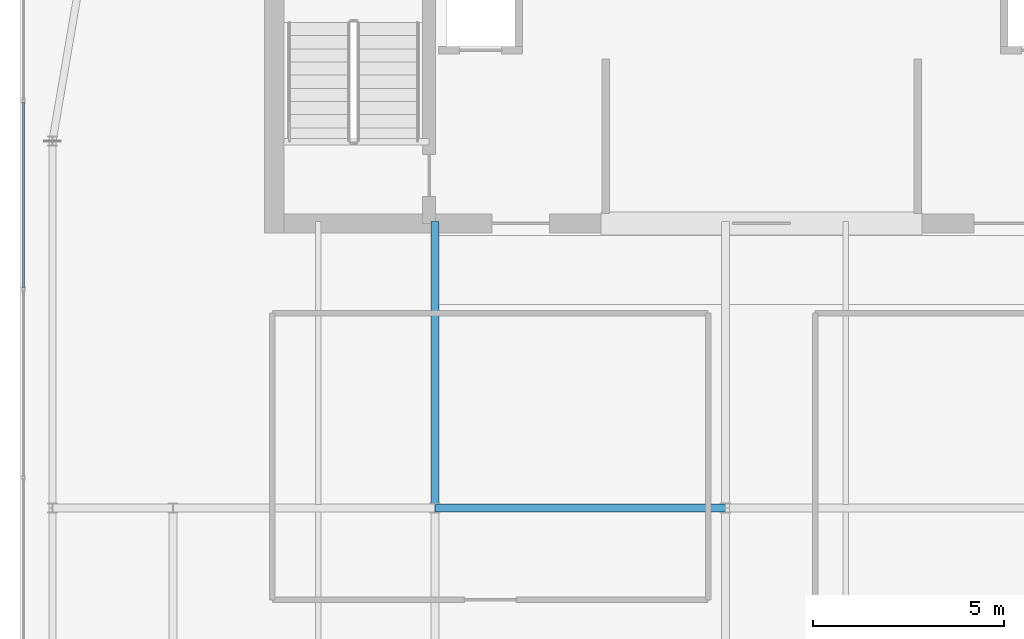
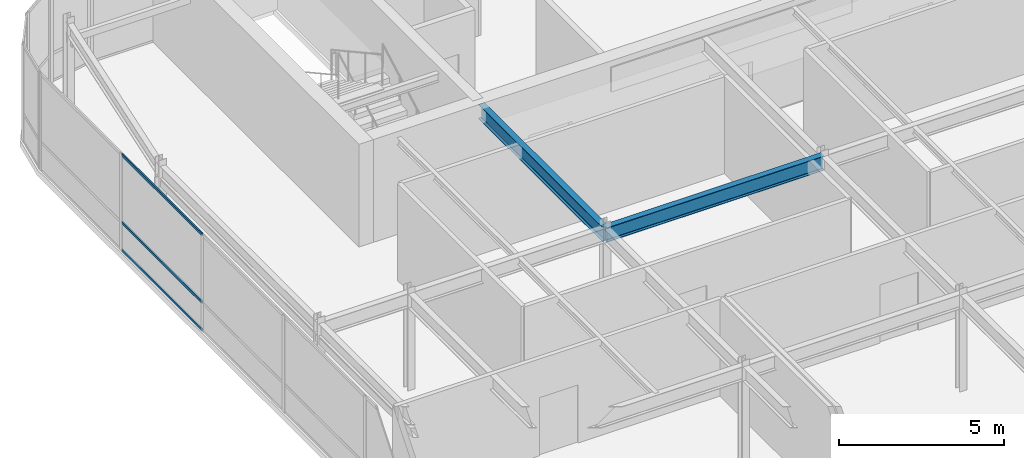
# One storey, part 18 of 36: 3 members, 2 beams, 1 element without a shape of its own.
"""IFC4 building model written with IfcOpenShell, lengths in metres."""

from ifc_helpers import new_model, si_unit, direction, frame, origin, origin_2d, place, context, subcontext, project, spatial, hollow_rectangle, i_section, extrude, source, transform, mapped, material, layer, layer_set, material_profile, profile_set, type_object, type_shapes, element, aggregate, save


model = new_model("IFC4")

# Units and contexts
model_context = context("Model", 3, precision=1e-05, world=origin(), true_north=direction((0.0, 1.0)))
body_context = subcontext(model_context, "Body", "Model", "MODEL_VIEW")
ifc_project = project(units=[si_unit("LENGTHUNIT", "METRE"), si_unit("AREAUNIT", "SQUARE_METRE"), si_unit("VOLUMEUNIT", "CUBIC_METRE"), si_unit("PLANEANGLEUNIT", "RADIAN"), si_unit("MASSUNIT", "GRAM", prefix="KILO")], contexts=[model_context])

# Site, building, storey
site_placement = place(None, origin())
site = spatial("IfcSite", under=ifc_project, at=site_placement, CompositionType="ELEMENT")
building_placement = place(site_placement, origin())
building = spatial("IfcBuilding", under=site, at=building_placement, Name="Tolvann Quenvar Hotel", CompositionType="ELEMENT")
storey_placement = place(building_placement, frame((0.0, 0.0, 306.14990234375)))
storey = spatial("IfcBuildingStorey", under=building, at=storey_placement, Name="L81", CompositionType="ELEMENT", Elevation=306.14990234375)

# Beams
ifc_material_1 = material(Name="Steel Grade 350", Category="steel")
ifc_material_profile_1 = material_profile(ifc_material_1, i_section(OverallWidth=0.208984375, OverallDepth=0.532958984375, WebThickness=0.01025390625, FlangeThickness=0.015625, FilletRadius=0.013916015625, at=origin_2d()), Name="530UB92")
ifc_profile_set_1 = profile_set([ifc_material_profile_1], Name="Steel Grade 350")
beam_type = type_object("IfcBeamType", Name="BM_GIRD_530UB92", PredefinedType="BEAM", material=ifc_profile_set_1)
shared_shape_1 = source(origin(), body_context, "Body", "SweptSolid", [
    extrude(i_section(OverallWidth=0.208984375, OverallDepth=0.532958984375, WebThickness=0.01025390625, FlangeThickness=0.015625, FilletRadius=0.013916015625, at=origin_2d()), origin(), (0.0, 0.0, 1.0), 7.60009765625),
])
beam_1_placement = place(storey_placement, frame((14.449951171875, 24.39990234375, 3.3134765625), z_axis=(1.0, 0.0, 0.0), x_axis=(0.0, 1.0, 0.0)))
element("IfcBeam", 1, at=beam_1_placement, inside=storey, type_object=beam_type, Name="BM-L81-EW-5-D5-E5", PredefinedType="BEAM", context=body_context, shape_type="MappedRepresentation", body=[
    mapped(shared_shape_1, transform((0.0, 0.0, 0.0), x_axis=(1.0, 0.0, 0.0), y_axis=(0.0, 1.0, 0.0), z_axis=(0.0, 0.0, 1.0), scale=1.0)),
])
shared_shape_2 = source(origin(), body_context, "Body", "SweptSolid", [
    extrude(i_section(OverallWidth=0.208984375, OverallDepth=0.532958984375, WebThickness=0.01025390625, FlangeThickness=0.015625, FilletRadius=0.013916015625, at=origin_2d()), origin(), (0.0, 0.0, 1.0), 7.5),
])
type_shapes(beam_type, [shared_shape_1, shared_shape_2])
beam_2_placement = place(storey_placement, frame((14.449951171875, 24.39990234375, 3.3134765625), z_axis=(0.0, 1.0, 0.0), x_axis=(-1.0, 0.0, 0.0)))
element("IfcBeam", 2, at=beam_2_placement, inside=storey, type_object=beam_type, Name="BM-L81-CORE-D5", PredefinedType="BEAM", context=body_context, shape_type="MappedRepresentation", body=[
    mapped(shared_shape_2, transform((0.0, 0.0, 0.0), x_axis=(1.0, 0.0, 0.0), y_axis=(0.0, 1.0, 0.0), z_axis=(0.0, 0.0, 1.0), scale=1.0)),
])

# Curtain wall, members
ifc_material_2 = material(Name="Thermally broken anodised architectural aluminium 6063-T6 and laminated low-E glass", Category="aluminium")
ifc_layer = layer(ifc_material_2, 0.179931640625)
ifc_layer_set = layer_set([ifc_layer], Name="Thermally broken anodised architectural aluminium 6063-T6 and laminated low-E glass")
curtain_wall_type = type_object("IfcCurtainWallType", Name="CW_SYS_LANT_06", PredefinedType="USERDEFINED", material=ifc_layer_set)
curtain_wall_placement = place(storey_placement, origin())
curtain_wall = element("IfcCurtainWall", 3, at=curtain_wall_placement, inside=storey, type_object=curtain_wall_type, Name="Curtain Wall CW-LANT-06 (CWR-L81-E19)", ObjectType="UNITISED CURTAIN WALL", PredefinedType="USERDEFINED")
ifc_material_3 = material(Name="Anodised architectural aluminium 6063-T6 framing", Category="aluminium")
ifc_material_profile_2 = material_profile(ifc_material_3, hollow_rectangle(XDim=0.050048828125, YDim=0.10009765625, WallThickness=0.0029296875, at=origin_2d()), Name="100x50x3RHS")
ifc_profile_set_2 = profile_set([ifc_material_profile_2], Name="Anodised architectural aluminium 6063-T6 framing")
member_type = type_object("IfcMemberType", Name="CW_TRAN_100x50", PredefinedType="USERDEFINED", material=ifc_profile_set_2)
shared_shape_3 = source(origin(), body_context, "Body", "SweptSolid", [
    extrude(hollow_rectangle(XDim=0.050048828125, YDim=0.10009765625, WallThickness=0.0029296875, at=origin_2d()), origin(), (0.0, 0.0, 1.0), 4.862548828125),
])
type_shapes(member_type, [shared_shape_3])
member_1_placement = place(storey_placement, frame((3.68994140625, 35.022705078125, 0.025146484375), z_axis=(0.0, -1.0, 0.0), x_axis=(1.0, 0.0, 0.0)))
member_1 = element("IfcMember", 4, at=member_1_placement, type_object=member_type, Name="CW-LANT-06 transom 2.1", ObjectType="TRANSOM", PredefinedType="USERDEFINED", context=body_context, shape_type="MappedRepresentation", body=[
    mapped(shared_shape_3, transform((0.0, 0.0, 0.0), x_axis=(1.0, 0.0, 0.0), y_axis=(0.0, 1.0, 0.0), z_axis=(0.0, 0.0, 1.0), scale=1.0)),
])
member_2_placement = place(storey_placement, frame((3.68994140625, 35.022705078125, 1.050048828125), z_axis=(0.0, -1.0, 0.0), x_axis=(1.0, 0.0, 0.0)))
member_2 = element("IfcMember", 5, at=member_2_placement, type_object=member_type, Name="CW-LANT-06 transom 2.2", ObjectType="TRANSOM", PredefinedType="USERDEFINED", context=body_context, shape_type="MappedRepresentation", body=[
    mapped(shared_shape_3, transform((0.0, 0.0, 0.0), x_axis=(1.0, 0.0, 0.0), y_axis=(0.0, 1.0, 0.0), z_axis=(0.0, 0.0, 1.0), scale=1.0)),
])
member_3_placement = place(storey_placement, frame((3.68994140625, 35.022705078125, 3.55517578125), z_axis=(0.0, -1.0, 0.0), x_axis=(1.0, 0.0, 0.0)))
member_3 = element("IfcMember", 6, at=member_3_placement, type_object=member_type, Name="CW-LANT-06 transom 2.3", ObjectType="TRANSOM", PredefinedType="USERDEFINED", context=body_context, shape_type="MappedRepresentation", body=[
    mapped(shared_shape_3, transform((0.0, 0.0, 0.0), x_axis=(1.0, 0.0, 0.0), y_axis=(0.0, 1.0, 0.0), z_axis=(0.0, 0.0, 1.0), scale=1.0)),
])
aggregate(curtain_wall, [member_1, member_2, member_3])

save(model, "model.ifc")
